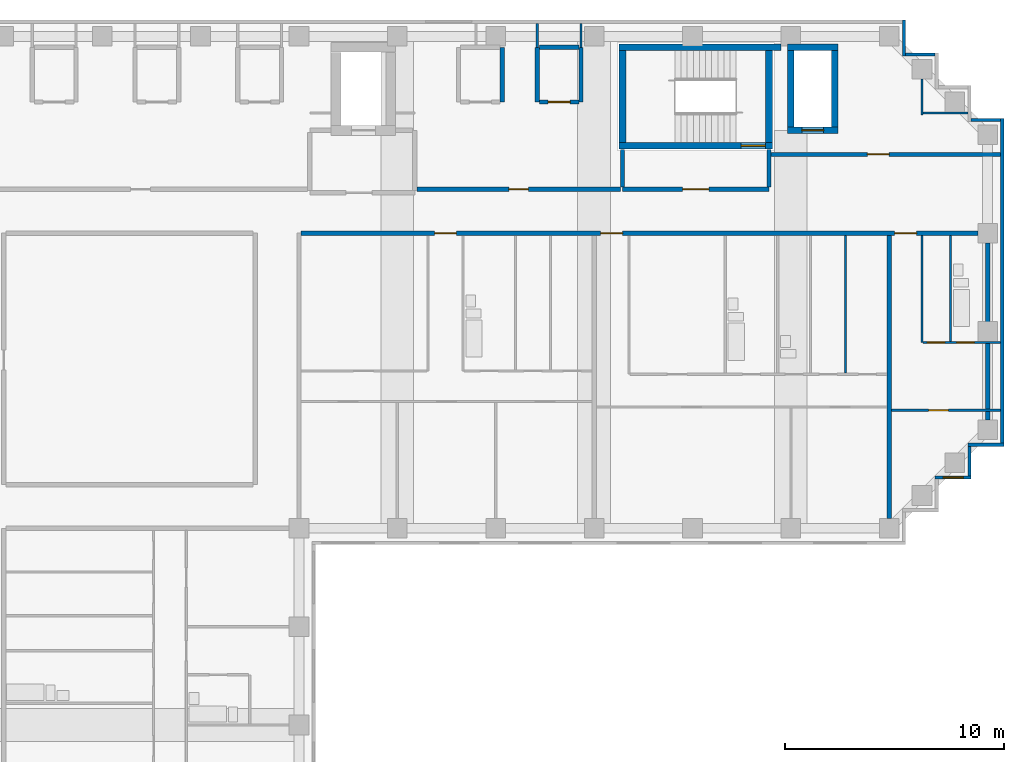
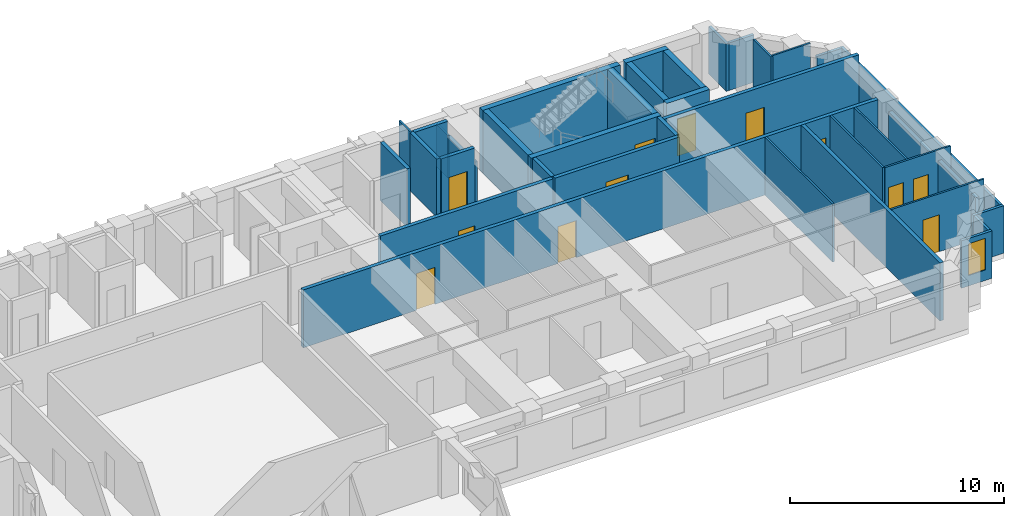
# One storey, part 7 of 10: 37 walls, 12 doors, 1 window, 13 openings.
"""IFC4 building model written with IfcOpenShell, lengths in metres."""

from ifc_helpers import new_model, si_unit, direction, frame, frame_2d, origin, place, context, subcontext, project, spatial, rectangle, extrude, material, layer, layer_set, type_object, element, fill, save


model = new_model("IFC4")

# Units and contexts
model_context = context("Model", 3, precision=1e-05, world=origin(), true_north=direction((0.0, 1.0)))
body_context = subcontext(model_context, "Body", "Model", "MODEL_VIEW")
ifc_project = project(units=[si_unit("LENGTHUNIT", "METRE"), si_unit("AREAUNIT", "SQUARE_METRE"), si_unit("VOLUMEUNIT", "CUBIC_METRE"), si_unit("PLANEANGLEUNIT", "RADIAN"), si_unit("MASSUNIT", "GRAM", prefix="KILO")], contexts=[model_context])

# Site, building, storey
site_placement = place(None, origin())
site = spatial("IfcSite", under=ifc_project, at=site_placement, CompositionType="ELEMENT")
building_placement = place(site_placement, origin())
building = spatial("IfcBuilding", under=site, at=building_placement, Name="Firuza Court", CompositionType="ELEMENT")
storey_placement = place(building_placement, frame((0.0, 0.0, 193.39990234375)))
storey = spatial("IfcBuildingStorey", under=building, at=storey_placement, Name="L49", CompositionType="ELEMENT", Elevation=193.39990234375)

# Wall
ifc_material_1 = material(Name="Moisture-resistant gypsum board partition")
ifc_layer_1 = layer(ifc_material_1, 0.10009765625)
ifc_layer_set_1 = layer_set([ifc_layer_1], Name="Moisture-resistant gypsum board partition")
wall_type_1 = type_object("IfcWallType", Name="Bathroom partition 100", PredefinedType="PLUMBINGWALL", material=ifc_layer_set_1)
wall_1_placement = place(storey_placement, frame((52.300048828125, 44.550048828125, 0.0), z_axis=(0.0, 0.0, 1.0), x_axis=(0.0, 1.0, 0.0)))
element("IfcWall", 1, at=wall_1_placement, inside=storey, type_object=wall_type_1, Name="Bathroom partition 100 L49", PredefinedType="PLUMBINGWALL", context=body_context, shape_type="SweptSolid", body=[
    extrude(rectangle(XDim=4.849853515625, YDim=0.10009765625, at=frame_2d((2.4248046875, 0.0))), origin(), (0.0, 0.0, 1.0), 3.300048828125),
])

# Wall, opening, door
ifc_material_2 = material(Name="Concrete C50/60", Category="concrete")
ifc_layer_2 = layer(ifc_material_2, 0.300048828125)
ifc_layer_set_2 = layer_set([ifc_layer_2], Name="Concrete C50/60")
wall_type_2 = type_object("IfcWallType", Name="Core wall 300 C50/60", PredefinedType="SHEAR", material=ifc_layer_set_2)
wall_2_placement = place(storey_placement, frame((37.14990234375, 53.5, -0.2998046875), z_axis=(0.0, 0.0, 1.0), x_axis=(1.0, 0.0, 0.0)))
wall_2 = element("IfcWall", 2, at=wall_2_placement, inside=storey, type_object=wall_type_2, Name="Core wall stair L49", PredefinedType="SHEAR", context=body_context, shape_type="SweptSolid", body=[
    extrude(rectangle(XDim=7.0, YDim=0.300048828125, at=frame_2d((3.5, 0.0))), origin(), (0.0, 0.0, 1.0), 3.599853515625),
])
opening_1_placement = place(wall_2_placement, frame((5.580078125, 0.0, 0.300048828125)))
opening_1 = element("IfcOpeningElement", 3, at=opening_1_placement, cuts=wall_2, Name="Opening D49011", PredefinedType="OPENING", context=body_context, shape_type="SweptSolid", body=[
    extrude(rectangle(XDim=1.10009765625, YDim=2.10009765625, at=frame_2d((0.550048828125, 1.050048828125))), frame((0.0, 0.162109375, 0.0), z_axis=(0.0, -1.0, 0.0), x_axis=(1.0, 0.0, 0.0)), (0.0, 0.0, 1.0), 0.323974609375),
])
ifc_material_3 = material(Name="Timber door leaf in hardwood frame", Category="wood")
door_type_1 = type_object("IfcDoorType", Name="Stair door 1100", OperationType="SINGLE_SWING_LEFT", PredefinedType="DOOR", material=ifc_material_3)
door_1_placement = place(opening_1_placement, origin())
door_1 = element("IfcDoor", 4, at=door_1_placement, inside=storey, type_object=door_type_1, Name="Stair door S1", OperationType="SINGLE_SWING_RIGHT", OverallHeight=2.10009765625, OverallWidth=1.10009765625, PredefinedType="DOOR", context=body_context, shape_type="SweptSolid", body=[
    extrude(rectangle(XDim=1.10009765625, YDim=2.10009765625, at=frame_2d((0.550048828125, 1.050048828125))), frame((0.0, 0.02490234375, 0.0), z_axis=(0.0, -1.0, 0.0), x_axis=(1.0, 0.0, 0.0)), (0.0, 0.0, 1.0), 0.050048828125),
])
fill(opening_1, door_1)

# Walls
wall_3_placement = place(storey_placement, frame((37.14990234375, 58.0, -0.2998046875), z_axis=(0.0, 0.0, 1.0), x_axis=(1.0, 0.0, 0.0)))
element("IfcWall", 5, at=wall_3_placement, inside=storey, type_object=wall_type_2, Name="Core wall stair L49", PredefinedType="SHEAR", context=body_context, shape_type="SweptSolid", body=[
    extrude(rectangle(XDim=7.400146484375, YDim=0.300048828125, at=frame_2d((3.7001953125, 0.0))), origin(), (0.0, 0.0, 1.0), 3.599853515625),
])
for number, where, z_axis, x_axis, name in (
    (6, (37.300048828125, 53.64990234375, -0.2998046875), (0.0, 0.0, 1.0), (0.0, 1.0, 0.0), "Core wall stair L49"),
    (7, (44.0, 53.64990234375, -0.2998046875), (0.0, 0.0, 1.0), (0.0, 1.0, 0.0), "Core wall stair L49"),
):
    element("IfcWall", number, at=place(storey_placement, frame(where, z_axis=z_axis, x_axis=x_axis)), inside=storey, type_object=wall_type_2, Name=name, PredefinedType="SHEAR", context=body_context, shape_type="SweptSolid", body=[
        extrude(rectangle(XDim=4.2001953125, YDim=0.300048828125, at=frame_2d((2.10009765625, 0.0))), origin(), (0.0, 0.0, 1.0), 3.599853515625),
    ])

# Wall, opening, door
wall_4_placement = place(storey_placement, frame((44.85009765625, 54.199951171875, -0.2998046875), z_axis=(0.0, 0.0, 1.0), x_axis=(1.0, 0.0, 0.0)))
wall_4 = element("IfcWall", 8, at=wall_4_placement, inside=storey, type_object=wall_type_2, Name="Core wall riser L49", PredefinedType="SHEAR", context=body_context, shape_type="SweptSolid", body=[
    extrude(rectangle(XDim=2.2998046875, YDim=0.300048828125, at=frame_2d((1.14990234375, 0.0))), origin(), (0.0, 0.0, 1.0), 3.599853515625),
])
opening_2_placement = place(wall_4_placement, frame((0.64990234375, 0.0, 0.300048828125)))
opening_2 = element("IfcOpeningElement", 9, at=opening_2_placement, cuts=wall_4, Name="Opening D49009", PredefinedType="OPENING", context=body_context, shape_type="SweptSolid", body=[
    extrude(rectangle(XDim=1.0, YDim=2.10009765625, at=frame_2d((0.5, 1.050048828125))), frame((0.0, 0.162109375, 0.0), z_axis=(0.0, -1.0, 0.0), x_axis=(1.0, 0.0, 0.0)), (0.0, 0.0, 1.0), 0.323974609375),
])
ifc_material_4 = material(Name="Timber door leaf in hardwood frame", Category="wood")
door_type_2 = type_object("IfcDoorType", Name="Riser door 1000", OperationType="SINGLE_SWING_LEFT", PredefinedType="DOOR", material=ifc_material_4)
door_2_placement = place(opening_2_placement, origin())
door_2 = element("IfcDoor", 10, at=door_2_placement, inside=storey, type_object=door_type_2, Name="Riser door R3", OperationType="SINGLE_SWING_LEFT", OverallHeight=2.10009765625, OverallWidth=1.0, PredefinedType="DOOR", context=body_context, shape_type="SweptSolid", body=[
    extrude(rectangle(XDim=1.0, YDim=2.10009765625, at=frame_2d((0.5, 1.050048828125))), frame((0.0, 0.02490234375, 0.0), z_axis=(0.0, -1.0, 0.0), x_axis=(1.0, 0.0, 0.0)), (0.0, 0.0, 1.0), 0.050048828125),
])
fill(opening_2, door_2)

# Walls
wall_5_placement = place(storey_placement, frame((44.85009765625, 58.0, -0.2998046875), z_axis=(0.0, 0.0, 1.0), x_axis=(1.0, 0.0, 0.0)))
element("IfcWall", 11, at=wall_5_placement, inside=storey, type_object=wall_type_2, Name="Core wall riser L49", PredefinedType="SHEAR", context=body_context, shape_type="SweptSolid", body=[
    extrude(rectangle(XDim=2.2998046875, YDim=0.300048828125, at=frame_2d((1.14990234375, 0.0))), origin(), (0.0, 0.0, 1.0), 3.599853515625),
])
for number, where, z_axis, x_axis, name in (
    (12, (45.0, 54.35009765625, -0.2998046875), (0.0, 0.0, 1.0), (0.0, 1.0, 0.0), "Core wall riser L49"),
    (13, (47.0, 54.35009765625, -0.2998046875), (0.0, 0.0, 1.0), (0.0, 1.0, 0.0), "Core wall riser L49"),
):
    element("IfcWall", number, at=place(storey_placement, frame(where, z_axis=z_axis, x_axis=x_axis)), inside=storey, type_object=wall_type_2, Name=name, PredefinedType="SHEAR", context=body_context, shape_type="SweptSolid", body=[
        extrude(rectangle(XDim=3.5, YDim=0.300048828125, at=frame_2d((1.75, 0.0))), origin(), (0.0, 0.0, 1.0), 3.599853515625),
    ])

# Wall, openings, doors
ifc_material_5 = material(Name="Blockwork, plastered both sides", Category="masonry")
ifc_layer_3 = layer(ifc_material_5, 0.199951171875)
ifc_layer_set_3 = layer_set([ifc_layer_3], Name="Blockwork, plastered both sides")
wall_type_3 = type_object("IfcWallType", Name="Corridor wall 200", PredefinedType="PARTITIONING", material=ifc_layer_set_3)
wall_6_placement = place(storey_placement, frame((22.60009765625, 49.5, 0.0), z_axis=(0.0, 0.0, 1.0), x_axis=(1.0, 0.0, 0.0)))
wall_6 = element("IfcWall", 14, at=wall_6_placement, inside=storey, type_object=wall_type_3, Name="Corridor wall 200 L49", PredefinedType="PARTITIONING", context=body_context, shape_type="SweptSolid", body=[
    extrude(rectangle(XDim=30.949951171875, YDim=0.199951171875, at=frame_2d((15.47509765625, 0.0))), origin(), (0.0, 0.0, 1.0), 3.300048828125),
])
opening_3_placement = place(wall_6_placement, frame((6.10009765625, 0.0, 0.0)))
opening_3 = element("IfcOpeningElement", 15, at=opening_3_placement, cuts=wall_6, Name="Opening D49055", PredefinedType="OPENING", context=body_context, shape_type="SweptSolid", body=[
    extrude(rectangle(XDim=1.0, YDim=2.10009765625, at=frame_2d((0.5, 1.050048828125))), frame((0.0, 0.11181640625, 0.0), z_axis=(0.0, -1.0, 0.0), x_axis=(1.0, 0.0, 0.0)), (0.0, 0.0, 1.0), 0.223876953125),
])
opening_4_placement = place(wall_6_placement, frame((13.699951171875, 0.0, 0.0)))
opening_4 = element("IfcOpeningElement", 16, at=opening_4_placement, cuts=wall_6, Name="Opening D49056", PredefinedType="OPENING", context=body_context, shape_type="SweptSolid", body=[
    extrude(rectangle(XDim=1.0, YDim=2.10009765625, at=frame_2d((0.5, 1.050048828125))), frame((0.0, 0.11181640625, 0.0), z_axis=(0.0, -1.0, 0.0), x_axis=(1.0, 0.0, 0.0)), (0.0, 0.0, 1.0), 0.223876953125),
])
opening_5_placement = place(wall_6_placement, frame((27.14990234375, 0.0, 0.0)))
opening_5 = element("IfcOpeningElement", 17, at=opening_5_placement, cuts=wall_6, Name="Opening D49057", PredefinedType="OPENING", context=body_context, shape_type="SweptSolid", body=[
    extrude(rectangle(XDim=1.0, YDim=2.10009765625, at=frame_2d((0.5, 1.050048828125))), frame((0.0, 0.11181640625, 0.0), z_axis=(0.0, -1.0, 0.0), x_axis=(1.0, 0.0, 0.0)), (0.0, 0.0, 1.0), 0.223876953125),
])
ifc_material_6 = material(Name="Timber door leaf in hardwood frame", Category="wood")
door_type_3 = type_object("IfcDoorType", Name="Flat entrance door 1000", OperationType="SINGLE_SWING_LEFT", PredefinedType="DOOR", material=ifc_material_6)
door_3_placement = place(opening_3_placement, origin())
door_3 = element("IfcDoor", 18, at=door_3_placement, inside=storey, type_object=door_type_3, Name="Flat entrance door", OperationType="SINGLE_SWING_LEFT", OverallHeight=2.10009765625, OverallWidth=1.0, PredefinedType="DOOR", context=body_context, shape_type="SweptSolid", body=[
    extrude(rectangle(XDim=1.0, YDim=2.10009765625, at=frame_2d((0.5, 1.050048828125))), frame((0.0, 0.02490234375, 0.0), z_axis=(0.0, -1.0, 0.0), x_axis=(1.0, 0.0, 0.0)), (0.0, 0.0, 1.0), 0.050048828125),
])
fill(opening_3, door_3)
door_4_placement = place(opening_4_placement, origin())
door_4 = element("IfcDoor", 19, at=door_4_placement, inside=storey, type_object=door_type_3, Name="Flat entrance door", OperationType="SINGLE_SWING_LEFT", OverallHeight=2.10009765625, OverallWidth=1.0, PredefinedType="DOOR", context=body_context, shape_type="SweptSolid", body=[
    extrude(rectangle(XDim=1.0, YDim=2.10009765625, at=frame_2d((0.5, 1.050048828125))), frame((0.0, 0.02490234375, 0.0), z_axis=(0.0, -1.0, 0.0), x_axis=(1.0, 0.0, 0.0)), (0.0, 0.0, 1.0), 0.050048828125),
])
fill(opening_4, door_4)
door_5_placement = place(opening_5_placement, origin())
door_5 = element("IfcDoor", 20, at=door_5_placement, inside=storey, type_object=door_type_3, Name="Flat entrance door", OperationType="SINGLE_SWING_RIGHT", OverallHeight=2.10009765625, OverallWidth=1.0, PredefinedType="DOOR", context=body_context, shape_type="SweptSolid", body=[
    extrude(rectangle(XDim=1.0, YDim=2.10009765625, at=frame_2d((0.5, 1.050048828125))), frame((0.0, 0.02490234375, 0.0), z_axis=(0.0, -1.0, 0.0), x_axis=(1.0, 0.0, 0.0)), (0.0, 0.0, 1.0), 0.050048828125),
])
fill(opening_5, door_5)

# Wall, opening, door
wall_7_placement = place(storey_placement, frame((27.89990234375, 51.5, 0.0), z_axis=(0.0, 0.0, 1.0), x_axis=(1.0, 0.0, 0.0)))
wall_7 = element("IfcWall", 21, at=wall_7_placement, inside=storey, type_object=wall_type_3, Name="Corridor wall 200 L49", PredefinedType="PARTITIONING", context=body_context, shape_type="SweptSolid", body=[
    extrude(rectangle(XDim=9.300048828125, YDim=0.199951171875, at=frame_2d((4.64990234375, 0.0))), origin(), (0.0, 0.0, 1.0), 3.300048828125),
])
opening_6_placement = place(wall_7_placement, frame((4.199951171875, 0.0, 0.0)))
opening_6 = element("IfcOpeningElement", 22, at=opening_6_placement, cuts=wall_7, Name="Opening D49059", PredefinedType="OPENING", context=body_context, shape_type="SweptSolid", body=[
    extrude(rectangle(XDim=0.89990234375, YDim=2.10009765625, at=frame_2d((0.449951171875, 1.050048828125))), frame((0.0, 0.11181640625, 0.0), z_axis=(0.0, -1.0, 0.0), x_axis=(1.0, 0.0, 0.0)), (0.0, 0.0, 1.0), 0.223876953125),
])
ifc_material_7 = material(Name="Timber door leaf in hardwood frame", Category="wood")
door_type_4 = type_object("IfcDoorType", Name="Room door 900 EI 30", OperationType="SINGLE_SWING_LEFT", PredefinedType="DOOR", material=ifc_material_7)
door_6_placement = place(opening_6_placement, origin())
door_6 = element("IfcDoor", 23, at=door_6_placement, inside=storey, type_object=door_type_4, Name="Meeting room door", OperationType="SINGLE_SWING_LEFT", OverallHeight=2.10009765625, OverallWidth=0.89990234375, PredefinedType="DOOR", context=body_context, shape_type="SweptSolid", body=[
    extrude(rectangle(XDim=0.89990234375, YDim=2.10009765625, at=frame_2d((0.449951171875, 1.050048828125))), frame((0.0, 0.02490234375, 0.0), z_axis=(0.0, -1.0, 0.0), x_axis=(1.0, 0.0, 0.0)), (0.0, 0.0, 1.0), 0.050048828125),
])
fill(opening_6, door_6)

wall_8_placement = place(storey_placement, frame((44.10009765625, 53.10009765625, 0.0), z_axis=(0.0, 0.0, 1.0), x_axis=(1.0, 0.0, 0.0)))
wall_8 = element("IfcWall", 24, at=wall_8_placement, inside=storey, type_object=wall_type_3, Name="Corridor wall 200 L49", PredefinedType="PARTITIONING", context=body_context, shape_type="SweptSolid", body=[
    extrude(rectangle(XDim=10.5, YDim=0.199951171875, at=frame_2d((5.25, 0.0))), origin(), (0.0, 0.0, 1.0), 3.300048828125),
])
opening_7_placement = place(wall_8_placement, frame((4.39990234375, 0.0, 0.0)))
opening_7 = element("IfcOpeningElement", 25, at=opening_7_placement, cuts=wall_8, Name="Opening D49060", PredefinedType="OPENING", context=body_context, shape_type="SweptSolid", body=[
    extrude(rectangle(XDim=1.0, YDim=2.10009765625, at=frame_2d((0.5, 1.050048828125))), frame((0.0, 0.11181640625, 0.0), z_axis=(0.0, -1.0, 0.0), x_axis=(1.0, 0.0, 0.0)), (0.0, 0.0, 1.0), 0.223876953125),
])
ifc_material_8 = material(Name="Timber door leaf in hardwood frame", Category="wood")
door_type_5 = type_object("IfcDoorType", Name="Store door 1000", OperationType="SINGLE_SWING_LEFT", PredefinedType="DOOR", material=ifc_material_8)
door_7_placement = place(opening_7_placement, origin())
door_7 = element("IfcDoor", 26, at=door_7_placement, inside=storey, type_object=door_type_5, Name="Valet store door", OperationType="SINGLE_SWING_LEFT", OverallHeight=2.10009765625, OverallWidth=1.0, PredefinedType="DOOR", context=body_context, shape_type="SweptSolid", body=[
    extrude(rectangle(XDim=1.0, YDim=2.10009765625, at=frame_2d((0.5, 1.050048828125))), frame((0.0, 0.02490234375, 0.0), z_axis=(0.0, -1.0, 0.0), x_axis=(1.0, 0.0, 0.0)), (0.0, 0.0, 1.0), 0.050048828125),
])
fill(opening_7, door_7)

ifc_material_9 = material(Name="Timber stud partition, plasterboard both sides", Category="wood")
ifc_layer_4 = layer(ifc_material_9, 0.10009765625)
ifc_layer_set_4 = layer_set([ifc_layer_4], Name="Timber stud partition, plasterboard both sides")
wall_type_4 = type_object("IfcWallType", Name="Partition wall 100", PredefinedType="PARTITIONING", material=ifc_layer_set_4)
wall_9_placement = place(storey_placement, frame((49.60009765625, 41.39990234375, 0.0), z_axis=(0.0, 0.0, 1.0), x_axis=(1.0, 0.0, 0.0)))
wall_9 = element("IfcWall", 27, at=wall_9_placement, inside=storey, type_object=wall_type_4, Name="Partition wall 100 L49", PredefinedType="PARTITIONING", context=body_context, shape_type="SweptSolid", body=[
    extrude(rectangle(XDim=5.0, YDim=0.10009765625, at=frame_2d((2.5, 0.0))), origin(), (0.0, 0.0, 1.0), 3.300048828125),
])
opening_8_placement = place(wall_9_placement, frame((1.699951171875, 0.0, 0.0)))
opening_8 = element("IfcOpeningElement", 28, at=opening_8_placement, cuts=wall_9, Name="Opening D49038", PredefinedType="OPENING", context=body_context, shape_type="SweptSolid", body=[
    extrude(rectangle(XDim=0.89990234375, YDim=2.10009765625, at=frame_2d((0.449951171875, 1.050048828125))), frame((0.0, 0.06201171875, 0.0), z_axis=(0.0, -1.0, 0.0), x_axis=(1.0, 0.0, 0.0)), (0.0, 0.0, 1.0), 0.1240234375),
])
ifc_material_10 = material(Name="Timber door leaf in hardwood frame", Category="wood")
door_type_6 = type_object("IfcDoorType", Name="Room door 900", OperationType="SINGLE_SWING_LEFT", PredefinedType="DOOR", material=ifc_material_10)
door_8_placement = place(opening_8_placement, frame((0.89990234375, 0.0, 0.0), z_axis=(0.0, 0.0, 1.0), x_axis=(-1.0, 0.0, 0.0)))
door_8 = element("IfcDoor", 29, at=door_8_placement, inside=storey, type_object=door_type_6, Name="Studio room door", OperationType="SINGLE_SWING_RIGHT", OverallHeight=2.10009765625, OverallWidth=0.89990234375, PredefinedType="DOOR", context=body_context, shape_type="SweptSolid", body=[
    extrude(rectangle(XDim=0.89990234375, YDim=2.10009765625, at=frame_2d((0.449951171875, 1.050048828125))), frame((0.0, 0.02490234375, 0.0), z_axis=(0.0, -1.0, 0.0), x_axis=(1.0, 0.0, 0.0)), (0.0, 0.0, 1.0), 0.050048828125),
])
fill(opening_8, door_8)

# Walls
wall_10_placement = place(storey_placement, frame((47.5, 43.10009765625, 0.0), z_axis=(0.0, 0.0, 1.0), x_axis=(0.0, 1.0, 0.0)))
element("IfcWall", 30, at=wall_10_placement, inside=storey, type_object=wall_type_4, Name="Partition wall 100 L49", PredefinedType="PARTITIONING", context=body_context, shape_type="SweptSolid", body=[
    extrude(rectangle(XDim=6.2998046875, YDim=0.10009765625, at=frame_2d((3.14990234375, 0.0))), origin(), (0.0, 0.0, 1.0), 3.300048828125),
])
wall_11_placement = place(storey_placement, frame((51.0, 44.5, 0.0), z_axis=(0.0, 0.0, 1.0), x_axis=(0.0, 1.0, 0.0)))
element("IfcWall", 31, at=wall_11_placement, inside=storey, type_object=wall_type_4, Name="Partition wall 100 L49", PredefinedType="PARTITIONING", context=body_context, shape_type="SweptSolid", body=[
    extrude(rectangle(XDim=4.89990234375, YDim=0.10009765625, at=frame_2d((2.449951171875, 0.0))), origin(), (0.0, 0.0, 1.0), 3.300048828125),
])

# Wall, openings, doors
wall_12_placement = place(storey_placement, frame((51.050048828125, 44.5, 0.0), z_axis=(0.0, 0.0, 1.0), x_axis=(1.0, 0.0, 0.0)))
wall_12 = element("IfcWall", 32, at=wall_12_placement, inside=storey, type_object=wall_type_4, Name="Partition wall 100 L49", PredefinedType="PARTITIONING", context=body_context, shape_type="SweptSolid", body=[
    extrude(rectangle(XDim=3.550048828125, YDim=0.10009765625, at=frame_2d((1.77490234375, 0.0))), origin(), (0.0, 0.0, 1.0), 3.300048828125),
])
opening_9_placement = place(wall_12_placement, frame((1.550048828125, 0.0, 0.0)))
opening_9 = element("IfcOpeningElement", 33, at=opening_9_placement, cuts=wall_12, Name="Opening D49053", PredefinedType="OPENING", context=body_context, shape_type="SweptSolid", body=[
    extrude(rectangle(XDim=0.800048828125, YDim=2.10009765625, at=frame_2d((0.39990234375, 1.050048828125))), frame((0.0, 0.06201171875, 0.0), z_axis=(0.0, -1.0, 0.0), x_axis=(1.0, 0.0, 0.0)), (0.0, 0.0, 1.0), 0.1240234375),
])
opening_10_placement = place(wall_12_placement, frame((0.199951171875, 0.0, 0.0)))
opening_10 = element("IfcOpeningElement", 34, at=opening_10_placement, cuts=wall_12, Name="Opening D49054", PredefinedType="OPENING", context=body_context, shape_type="SweptSolid", body=[
    extrude(rectangle(XDim=0.800048828125, YDim=2.10009765625, at=frame_2d((0.39990234375, 1.050048828125))), frame((0.0, 0.06201171875, 0.0), z_axis=(0.0, -1.0, 0.0), x_axis=(1.0, 0.0, 0.0)), (0.0, 0.0, 1.0), 0.1240234375),
])
ifc_material_11 = material(Name="Timber door leaf in hardwood frame", Category="wood")
door_type_7 = type_object("IfcDoorType", Name="Bathroom door 800", OperationType="SINGLE_SWING_LEFT", PredefinedType="DOOR", material=ifc_material_11)
door_9_placement = place(opening_9_placement, origin())
door_9 = element("IfcDoor", 35, at=door_9_placement, inside=storey, type_object=door_type_7, Name="Bathroom door", OperationType="SINGLE_SWING_LEFT", OverallHeight=2.10009765625, OverallWidth=0.800048828125, PredefinedType="DOOR", context=body_context, shape_type="SweptSolid", body=[
    extrude(rectangle(XDim=0.800048828125, YDim=2.10009765625, at=frame_2d((0.39990234375, 1.050048828125))), frame((0.0, 0.02490234375, 0.0), z_axis=(0.0, -1.0, 0.0), x_axis=(1.0, 0.0, 0.0)), (0.0, 0.0, 1.0), 0.050048828125),
])
fill(opening_9, door_9)
ifc_material_12 = material(Name="Timber door leaf in hardwood frame", Category="wood")
door_type_8 = type_object("IfcDoorType", Name="Room door 800", OperationType="SINGLE_SWING_LEFT", PredefinedType="DOOR", material=ifc_material_12)
door_10_placement = place(opening_10_placement, origin())
door_10 = element("IfcDoor", 36, at=door_10_placement, inside=storey, type_object=door_type_8, Name="Kitchen door", OperationType="SINGLE_SWING_LEFT", OverallHeight=2.10009765625, OverallWidth=0.800048828125, PredefinedType="DOOR", context=body_context, shape_type="SweptSolid", body=[
    extrude(rectangle(XDim=0.800048828125, YDim=2.10009765625, at=frame_2d((0.39990234375, 1.050048828125))), frame((0.0, 0.02490234375, 0.0), z_axis=(0.0, -1.0, 0.0), x_axis=(1.0, 0.0, 0.0)), (0.0, 0.0, 1.0), 0.050048828125),
])
fill(opening_10, door_10)

# Walls
wall_13_placement = place(storey_placement, frame((51.0, 54.89990234375, 0.0), z_axis=(0.0, 0.0, 1.0), x_axis=(0.0, 1.0, 0.0)))
element("IfcWall", 37, at=wall_13_placement, inside=storey, type_object=wall_type_4, Name="Partition wall 100 L49", PredefinedType="PARTITIONING", context=body_context, shape_type="SweptSolid", body=[
    extrude(rectangle(XDim=1.650146484375, YDim=0.10009765625, at=frame_2d((0.8251953125, 0.0))), origin(), (0.0, 0.0, 1.0), 3.300048828125),
])
wall_14_placement = place(storey_placement, frame((51.050048828125, 55.0, 0.0), z_axis=(0.0, 0.0, 1.0), x_axis=(1.0, 0.0, 0.0)))
element("IfcWall", 38, at=wall_14_placement, inside=storey, type_object=wall_type_4, Name="Partition wall 100 L49", PredefinedType="PARTITIONING", context=body_context, shape_type="SweptSolid", body=[
    extrude(rectangle(XDim=2.050048828125, YDim=0.10009765625, at=frame_2d((1.02490234375, 0.0))), origin(), (0.0, 0.0, 1.0), 3.300048828125),
])
wall_15_placement = place(storey_placement, frame((33.39990234375, 58.0, 0.0), z_axis=(0.0, 0.0, 1.0), x_axis=(0.0, 1.0, 0.0)))
element("IfcWall", 39, at=wall_15_placement, inside=storey, type_object=wall_type_4, Name="Partition wall 100 L49", PredefinedType="PARTITIONING", context=body_context, shape_type="SweptSolid", body=[
    extrude(rectangle(XDim=1.10009765625, YDim=0.10009765625, at=frame_2d((0.550048828125, 0.0))), origin(), (0.0, 0.0, 1.0), 3.300048828125),
])
wall_16_placement = place(storey_placement, frame((35.39990234375, 58.0, 0.0), z_axis=(0.0, 0.0, 1.0), x_axis=(0.0, 1.0, 0.0)))
element("IfcWall", 40, at=wall_16_placement, inside=storey, type_object=wall_type_4, Name="Partition wall 100 L49", PredefinedType="PARTITIONING", context=body_context, shape_type="SweptSolid", body=[
    extrude(rectangle(XDim=1.10009765625, YDim=0.10009765625, at=frame_2d((0.550048828125, 0.0))), origin(), (0.0, 0.0, 1.0), 2.400146484375),
])
ifc_layer_5 = layer(ifc_material_5, 0.199951171875)
ifc_layer_set_5 = layer_set([ifc_layer_5], Name="Blockwork, plastered both sides")
wall_type_5 = type_object("IfcWallType", Name="Party wall 200", PredefinedType="PARTITIONING", material=ifc_layer_set_5)
wall_17_placement = place(storey_placement, frame((49.5, 36.449951171875, 0.0), z_axis=(0.0, 0.0, 1.0), x_axis=(0.0, 1.0, 0.0)))
element("IfcWall", 41, at=wall_17_placement, inside=storey, type_object=wall_type_5, Name="Party wall 200 L49", PredefinedType="PARTITIONING", context=body_context, shape_type="SweptSolid", body=[
    extrude(rectangle(XDim=12.949951171875, YDim=0.199951171875, at=frame_2d((6.47509765625, 0.0))), origin(), (0.0, 0.0, 1.0), 3.300048828125),
])
wall_18_placement = place(storey_placement, frame((54.0, 40.949951171875, 0.0), z_axis=(0.0, 0.0, 1.0), x_axis=(0.0, 1.0, 0.0)))
element("IfcWall", 42, at=wall_18_placement, inside=storey, type_object=wall_type_5, Name="Party wall 200 L49", PredefinedType="PARTITIONING", context=body_context, shape_type="SweptSolid", body=[
    extrude(rectangle(XDim=8.10009765625, YDim=0.199951171875, at=frame_2d((4.050048828125, 0.0))), origin(), (0.0, 0.0, 1.0), 2.7001953125),
])
ifc_material_13 = material(Name="Blockwork, fire-rated", Category="masonry")
ifc_layer_6 = layer(ifc_material_13, 0.199951171875)
ifc_layer_set_6 = layer_set([ifc_layer_6], Name="Blockwork, fire-rated")
wall_type_6 = type_object("IfcWallType", Name="Plant room wall 200", PredefinedType="PARTITIONING", material=ifc_layer_set_6)
for number, where, z_axis, x_axis, name in (
    (43, (31.800048828125, 55.5, 0.0), (0.0, 0.0, 1.0), (0.0, 1.0, 0.0), "Plant room wall 200 L49"),
    (44, (33.39990234375, 55.5, 0.0), (0.0, 0.0, 1.0), (0.0, 1.0, 0.0), "Plant room wall 200 L49"),
):
    element("IfcWall", number, at=place(storey_placement, frame(where, z_axis=z_axis, x_axis=x_axis)), inside=storey, type_object=wall_type_6, Name=name, PredefinedType="PARTITIONING", context=body_context, shape_type="SweptSolid", body=[
        extrude(rectangle(XDim=2.5, YDim=0.199951171875, at=frame_2d((1.25, 0.0))), origin(), (0.0, 0.0, 1.0), 3.300048828125),
    ])

# Wall, opening, door
wall_19_placement = place(storey_placement, frame((33.5, 55.5, 0.0), z_axis=(0.0, 0.0, 1.0), x_axis=(1.0, 0.0, 0.0)))
wall_19 = element("IfcWall", 45, at=wall_19_placement, inside=storey, type_object=wall_type_6, Name="Plant room wall 200 L49", PredefinedType="PARTITIONING", context=body_context, shape_type="SweptSolid", body=[
    extrude(rectangle(XDim=1.800048828125, YDim=0.199951171875, at=frame_2d((0.89990234375, 0.0))), origin(), (0.0, 0.0, 1.0), 3.300048828125),
])
opening_11_placement = place(wall_19_placement, frame((0.39990234375, 0.0, 0.0)))
opening_11 = element("IfcOpeningElement", 46, at=opening_11_placement, cuts=wall_19, Name="Opening D49065", PredefinedType="OPENING", context=body_context, shape_type="SweptSolid", body=[
    extrude(rectangle(XDim=1.0, YDim=2.10009765625, at=frame_2d((0.5, 1.050048828125))), frame((0.0, 0.11181640625, 0.0), z_axis=(0.0, -1.0, 0.0), x_axis=(1.0, 0.0, 0.0)), (0.0, 0.0, 1.0), 0.223876953125),
])
door_11_placement = place(opening_11_placement, origin())
door_11 = element("IfcDoor", 47, at=door_11_placement, inside=storey, type_object=door_type_2, Name="Duct riser door", OperationType="SINGLE_SWING_LEFT", OverallHeight=2.10009765625, OverallWidth=1.0, PredefinedType="DOOR", context=body_context, shape_type="SweptSolid", body=[
    extrude(rectangle(XDim=1.0, YDim=2.10009765625, at=frame_2d((0.5, 1.050048828125))), frame((0.0, 0.02490234375, 0.0), z_axis=(0.0, -1.0, 0.0), x_axis=(1.0, 0.0, 0.0)), (0.0, 0.0, 1.0), 0.050048828125),
])
fill(opening_11, door_11)

# Walls
wall_20_placement = place(storey_placement, frame((35.39990234375, 55.5, 0.0), z_axis=(0.0, 0.0, 1.0), x_axis=(0.0, 1.0, 0.0)))
element("IfcWall", 48, at=wall_20_placement, inside=storey, type_object=wall_type_6, Name="Plant room wall 200 L49", PredefinedType="PARTITIONING", context=body_context, shape_type="SweptSolid", body=[
    extrude(rectangle(XDim=2.5, YDim=0.199951171875, at=frame_2d((1.25, 0.0))), origin(), (0.0, 0.0, 1.0), 2.400146484375),
])
wall_21_placement = place(storey_placement, frame((33.5, 58.0, 0.0), z_axis=(0.0, 0.0, 1.0), x_axis=(1.0, 0.0, 0.0)))
element("IfcWall", 49, at=wall_21_placement, inside=storey, type_object=wall_type_6, Name="Plant room wall 200 L49", PredefinedType="PARTITIONING", context=body_context, shape_type="SweptSolid", body=[
    extrude(rectangle(XDim=1.800048828125, YDim=0.199951171875, at=frame_2d((0.89990234375, 0.0))), origin(), (0.0, 0.0, 1.0), 3.300048828125),
])

# Wall, opening, window
ifc_material_14 = material(Name="Ceramic tile", Category="ceramic")
ifc_layer_7 = layer(ifc_material_14, 0.02001953125)
ifc_material_15 = material(Name="Mineral wool insulation", Category="insulation")
ifc_layer_8 = layer(ifc_material_15, 0.050048828125)
ifc_material_16 = material(Name="Concrete C40/50 precast", Category="concrete")
ifc_layer_9 = layer(ifc_material_16, 0.080078125)
ifc_layer_set_7 = layer_set([ifc_layer_7, ifc_layer_8, ifc_layer_9], Name="Concrete C40/50 precast")
wall_type_7 = type_object("IfcWallType", Name="Precast cladding wall with turquoise TILE PANEL face 150", PredefinedType="STANDARD", material=ifc_layer_set_7)
wall_22_placement = place(storey_placement, frame((51.60009765625, 38.324951171875, 0.0), z_axis=(0.0, 0.0, 1.0), x_axis=(1.0, 0.0, 0.0)))
wall_22 = element("IfcWall", 50, at=wall_22_placement, inside=storey, type_object=wall_type_7, Name="Facade wall L49 S", PredefinedType="STANDARD", context=body_context, shape_type="SweptSolid", body=[
    extrude(rectangle(XDim=1.64990234375, YDim=0.14990234375, at=frame_2d((0.824951171875, 0.0))), origin(), (0.0, 0.0, 1.0), 2.7001953125),
])
opening_12_placement = place(wall_22_placement, frame((0.375, 0.0, 0.60009765625)))
opening_12 = element("IfcOpeningElement", 51, at=opening_12_placement, cuts=wall_22, Name="Opening W3", PredefinedType="OPENING", context=body_context, shape_type="SweptSolid", body=[
    extrude(rectangle(XDim=0.89990234375, YDim=1.800048828125, at=frame_2d((0.449951171875, 0.89990234375))), frame((0.0, 0.0869140625, 0.0), z_axis=(0.0, -1.0, 0.0), x_axis=(1.0, 0.0, 0.0)), (0.0, 0.0, 1.0), 0.173828125),
])
ifc_material_17 = material(Name="Aluminium frame, triple clear glazing", Category="aluminium")
window_type = type_object("IfcWindowType", Name="Window W3 900 x 1800", PartitioningType="SINGLE_PANEL", PredefinedType="WINDOW", material=ifc_material_17)
window_placement = place(opening_12_placement, origin())
window = element("IfcWindow", 52, at=window_placement, inside=storey, type_object=window_type, Name="Window L49", OverallHeight=1.800048828125, OverallWidth=0.89990234375, PartitioningType="SINGLE_PANEL", PredefinedType="WINDOW", context=body_context, shape_type="SweptSolid", body=[
    extrude(rectangle(XDim=0.89990234375, YDim=1.800048828125, at=frame_2d((0.449951171875, 0.89990234375))), frame((0.0, 0.030029296875, 0.0), z_axis=(0.0, -1.0, 0.0), x_axis=(1.0, 0.0, 0.0)), (0.0, 0.0, 1.0), 0.06005859375),
])
fill(opening_12, window)

# Walls
wall_23_placement = place(storey_placement, frame((53.175048828125, 38.39990234375, 0.0), z_axis=(0.0, 0.0, 1.0), x_axis=(0.0, 1.0, 0.0)))
element("IfcWall", 53, at=wall_23_placement, inside=storey, type_object=wall_type_7, Name="Facade wall L49 E", PredefinedType="STANDARD", context=body_context, shape_type="SweptSolid", body=[
    extrude(rectangle(XDim=1.35009765625, YDim=0.14990234375, at=frame_2d((0.675048828125, 0.0))), origin(), (0.0, 0.0, 1.0), 2.7001953125),
])
wall_24_placement = place(storey_placement, frame((53.10009765625, 39.824951171875, 0.0), z_axis=(0.0, 0.0, 1.0), x_axis=(1.0, 0.0, 0.0)))
element("IfcWall", 54, at=wall_24_placement, inside=storey, type_object=wall_type_7, Name="Facade wall L49 S", PredefinedType="STANDARD", context=body_context, shape_type="SweptSolid", body=[
    extrude(rectangle(XDim=1.64990234375, YDim=0.14990234375, at=frame_2d((0.824951171875, 0.0))), origin(), (0.0, 0.0, 1.0), 2.7001953125),
])
wall_25_placement = place(storey_placement, frame((54.675048828125, 39.89990234375, 0.0), z_axis=(0.0, 0.0, 1.0), x_axis=(0.0, 1.0, 0.0)))
element("IfcWall", 55, at=wall_25_placement, inside=storey, type_object=wall_type_7, Name="Facade wall L49 E", PredefinedType="STANDARD", context=body_context, shape_type="SweptSolid", body=[
    extrude(rectangle(XDim=14.85009765625, YDim=0.14990234375, at=frame_2d((7.425048828125, 0.0))), origin(), (0.0, 0.0, 1.0), 2.7001953125),
])
for number, where, z_axis, x_axis, name in (
    (56, (54.60009765625, 54.675048828125, 0.0), (0.0, 0.0, 1.0), (-1.0, 0.0, 0.0), "Facade wall L49 N"),
    (57, (51.60009765625, 57.675048828125, 0.0), (0.0, 0.0, 1.0), (-1.0, 0.0, 0.0), "Facade wall L49 N"),
):
    element("IfcWall", number, at=place(storey_placement, frame(where, z_axis=z_axis, x_axis=x_axis)), inside=storey, type_object=wall_type_7, Name=name, PredefinedType="STANDARD", context=body_context, shape_type="SweptSolid", body=[
        extrude(rectangle(XDim=1.35009765625, YDim=0.14990234375, at=frame_2d((0.675048828125, 0.0))), origin(), (0.0, 0.0, 1.0), 2.7001953125),
    ])
wall_26_placement = place(storey_placement, frame((50.175048828125, 57.60009765625, 0.0), z_axis=(0.0, 0.0, 1.0), x_axis=(0.0, 1.0, 0.0)))
element("IfcWall", 58, at=wall_26_placement, inside=storey, type_object=wall_type_7, Name="Facade wall L49 E", PredefinedType="STANDARD", context=body_context, shape_type="SweptSolid", body=[
    extrude(rectangle(XDim=1.64990234375, YDim=0.14990234375, at=frame_2d((0.824951171875, 0.0))), origin(), (0.0, 0.0, 1.0), 2.7001953125),
])

# Wall, opening, door
ifc_layer_10 = layer(ifc_material_13, 0.199951171875)
ifc_layer_set_8 = layer_set([ifc_layer_10], Name="Blockwork, fire-rated")
wall_type_8 = type_object("IfcWallType", Name="Shaft wall 200", PredefinedType="PARTITIONING", material=ifc_layer_set_8)
wall_27_placement = place(storey_placement, frame((37.300048828125, 51.5, 0.0), z_axis=(0.0, 0.0, 1.0), x_axis=(1.0, 0.0, 0.0)))
wall_27 = element("IfcWall", 59, at=wall_27_placement, inside=storey, type_object=wall_type_8, Name="Shaft wall 200 L49", PredefinedType="PARTITIONING", context=body_context, shape_type="SweptSolid", body=[
    extrude(rectangle(XDim=6.699951171875, YDim=0.199951171875, at=frame_2d((3.35009765625, 0.0))), origin(), (0.0, 0.0, 1.0), 3.300048828125),
])
opening_13_placement = place(wall_27_placement, frame((2.75, 0.0, 0.0)))
opening_13 = element("IfcOpeningElement", 60, at=opening_13_placement, cuts=wall_27, Name="Opening D49006", PredefinedType="OPENING", context=body_context, shape_type="SweptSolid", body=[
    extrude(rectangle(XDim=1.199951171875, YDim=2.10009765625, at=frame_2d((0.60009765625, 1.050048828125))), frame((0.0, 0.11181640625, 0.0), z_axis=(0.0, -1.0, 0.0), x_axis=(1.0, 0.0, 0.0)), (0.0, 0.0, 1.0), 0.223876953125),
])
ifc_material_18 = material(Name="Timber door leaf in hardwood frame", Category="wood")
door_type_9 = type_object("IfcDoorType", Name="Lobby door 1200", OperationType="SINGLE_SWING_LEFT", PredefinedType="DOOR", material=ifc_material_18)
door_12_placement = place(opening_13_placement, origin())
door_12 = element("IfcDoor", 61, at=door_12_placement, inside=storey, type_object=door_type_9, Name="Lobby door", OperationType="SINGLE_SWING_LEFT", OverallHeight=2.10009765625, OverallWidth=1.199951171875, PredefinedType="DOOR", context=body_context, shape_type="SweptSolid", body=[
    extrude(rectangle(XDim=1.199951171875, YDim=2.10009765625, at=frame_2d((0.60009765625, 1.050048828125))), frame((0.0, 0.02490234375, 0.0), z_axis=(0.0, -1.0, 0.0), x_axis=(1.0, 0.0, 0.0)), (0.0, 0.0, 1.0), 0.050048828125),
])
fill(opening_13, door_12)

# Walls
for number, where, z_axis, x_axis, name in (
    (62, (44.0, 51.60009765625, 0.0), (0.0, 0.0, 1.0), (0.0, 1.0, 0.0), "Shaft wall 200 L49"),
    (63, (37.300048828125, 51.60009765625, 0.0), (0.0, 0.0, 1.0), (0.0, 1.0, 0.0), "Shaft wall 200 L49"),
):
    element("IfcWall", number, at=place(storey_placement, frame(where, z_axis=z_axis, x_axis=x_axis)), inside=storey, type_object=wall_type_8, Name=name, PredefinedType="PARTITIONING", context=body_context, shape_type="SweptSolid", body=[
        extrude(rectangle(XDim=1.72998046875, YDim=0.199951171875, at=frame_2d((0.864990234375, 0.0))), origin(), (0.0, 0.0, 1.0), 3.300048828125),
    ])

save(model, "model.ifc")
